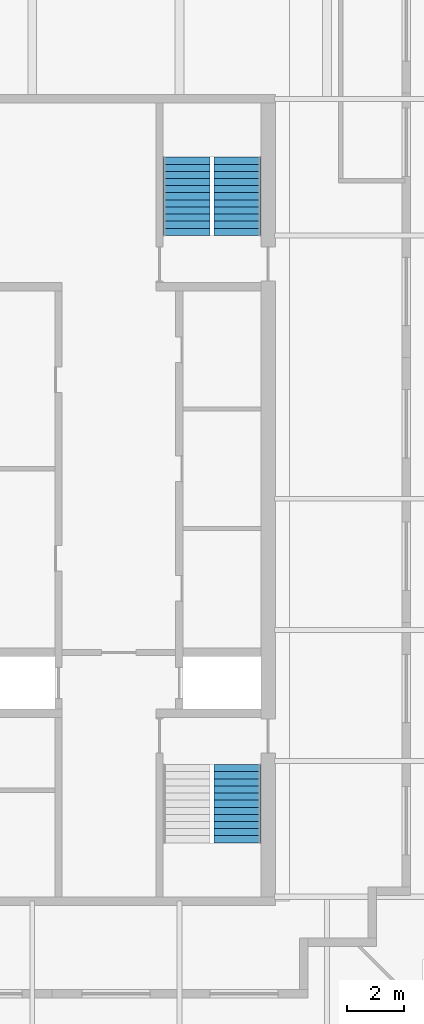
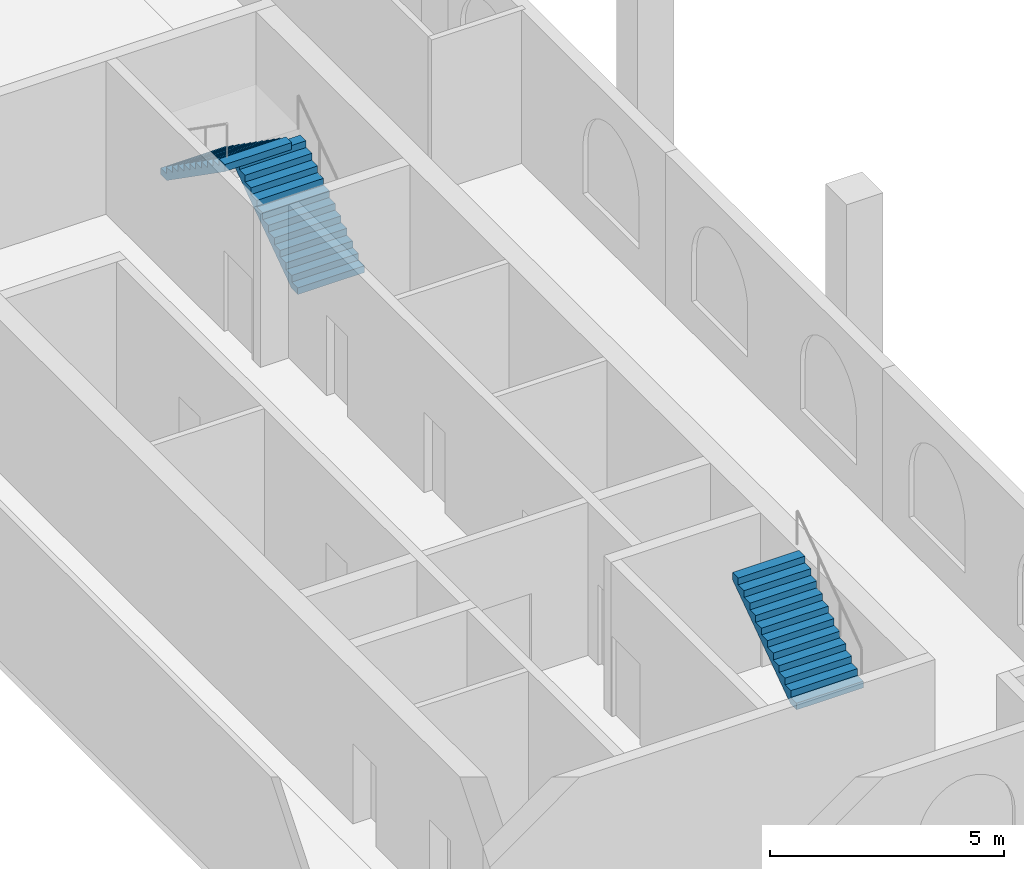
# One storey, part 7 of 8: 3 stair flights, 2 elements without a shape of their own.
"""IFC4 building model written with IfcOpenShell, lengths in metres."""

from ifc_helpers import new_model, si_unit, direction, frame, origin, place, context, subcontext, project, spatial, polyline, outline, extrude, material, type_object, element, aggregate, save


model = new_model("IFC4")

# Units and contexts
model_context = context("Model", 3, precision=1e-05, world=origin(), true_north=direction((0.0, 1.0)))
body_context = subcontext(model_context, "Body", "Model", "MODEL_VIEW")
ifc_project = project(units=[si_unit("LENGTHUNIT", "METRE"), si_unit("AREAUNIT", "SQUARE_METRE"), si_unit("VOLUMEUNIT", "CUBIC_METRE"), si_unit("PLANEANGLEUNIT", "RADIAN"), si_unit("MASSUNIT", "GRAM", prefix="KILO")], contexts=[model_context])

# Site, building, storey
site_placement = place(None, origin())
site = spatial("IfcSite", under=ifc_project, at=site_placement, CompositionType="ELEMENT")
building_placement = place(site_placement, origin())
building = spatial("IfcBuilding", under=site, at=building_placement, Name="Ogive Exchange Tower", CompositionType="ELEMENT")
storey_placement = place(building_placement, frame((0.0, 0.0, 377.39990234375)))
storey = spatial("IfcBuildingStorey", under=building, at=storey_placement, Name="C03", CompositionType="ELEMENT", Elevation=377.39990234375)

# Stair, stair flight
ifc_material = material(Name="Concrete C40/50", Category="concrete")
stair_type = type_object("IfcStairType", Name="Exit stair 1650 wide", PredefinedType="HALF_TURN_STAIR", material=ifc_material)
stair_1_placement = place(storey_placement, origin())
stair_1 = element("IfcStair", 1, at=stair_1_placement, inside=storey, type_object=stair_type, Name="C03 exit stair ST3", PredefinedType="HALF_TURN_STAIR")
stair_flight_type = type_object("IfcStairFlightType", Name="Stair flight 1650 wide", PredefinedType="STRAIGHT", material=ifc_material)
stair_flight_1_placement = place(storey_placement, frame((20.175048828125, -0.550048828125, 2.10009765625), z_axis=(0.0, 0.0, 1.0), x_axis=(0.0, 1.0, 0.0)))
stair_flight_1 = element("IfcStairFlight", 2, at=stair_flight_1_placement, type_object=stair_flight_type, Name="ST3 flight 2", NumberOfRisers=12, NumberOfTreads=11, PredefinedType="STRAIGHT", RiserHeight=0.175, TreadLength=0.25, context=body_context, shape_type="SweptSolid", body=[
    extrude(outline(polyline([(0.0, 0.0), (0.0, 0.175048828125), (0.25, 0.175048828125), (0.25, 0.35009765625), (0.5, 0.35009765625), (0.5, 0.52490234375), (0.75, 0.52490234375), (0.75, 0.699951171875), (1.0, 0.699951171875), (1.0, 0.875), (1.25, 0.875), (1.25, 1.050048828125), (1.5, 1.050048828125), (1.5, 1.22509765625), (1.75, 1.22509765625), (1.75, 1.39990234375), (2.0, 1.39990234375), (2.0, 1.574951171875), (2.25, 1.574951171875), (2.25, 1.75), (2.5, 1.75), (2.5, 1.925048828125), (2.75, 1.925048828125), (2.75, 2.10009765625), (2.75, 1.741943359375), (0.261474609375, 0.0), (0.0, 0.0)])), frame((0.0, 0.824951171875, 0.0), z_axis=(0.0, -1.0, 0.0), x_axis=(1.0, 0.0, 0.0)), (0.0, 0.0, 1.0), 1.64990234375),
])
aggregate(stair_1, [stair_flight_1])

# Stair, stair flights
stair_2_placement = place(storey_placement, origin())
stair_2 = element("IfcStair", 3, at=stair_2_placement, inside=storey, type_object=stair_type, Name="C03 exit stair ST4", PredefinedType="HALF_TURN_STAIR")
stair_flight_2_placement = place(storey_placement, frame((20.175048828125, 20.800048828125, 0.0), z_axis=(0.0, 0.0, 1.0), x_axis=(0.0, 1.0, 0.0)))
stair_flight_2 = element("IfcStairFlight", 4, at=stair_flight_2_placement, type_object=stair_flight_type, Name="ST4 flight 1", NumberOfRisers=12, NumberOfTreads=11, PredefinedType="STRAIGHT", RiserHeight=0.175, TreadLength=0.25, context=body_context, shape_type="SweptSolid", body=[
    extrude(outline(polyline([(0.0, 0.0), (0.0, 0.175048828125), (0.25, 0.175048828125), (0.25, 0.35009765625), (0.5, 0.35009765625), (0.5, 0.52490234375), (0.75, 0.52490234375), (0.75, 0.699951171875), (1.0, 0.699951171875), (1.0, 0.875), (1.25, 0.875), (1.25, 1.050048828125), (1.5, 1.050048828125), (1.5, 1.22509765625), (1.75, 1.22509765625), (1.75, 1.39990234375), (2.0, 1.39990234375), (2.0, 1.574951171875), (2.25, 1.574951171875), (2.25, 1.75), (2.5, 1.75), (2.5, 1.925048828125), (2.75, 1.925048828125), (2.75, 2.10009765625), (2.75, 1.741943359375), (0.261474609375, 0.0), (0.0, 0.0)])), frame((0.0, 0.824951171875, 0.0), z_axis=(0.0, -1.0, 0.0), x_axis=(1.0, 0.0, 0.0)), (0.0, 0.0, 1.0), 1.64990234375),
])
stair_flight_3_placement = place(storey_placement, frame((18.375, 23.550048828125, 2.10009765625), z_axis=(0.0, 0.0, 1.0), x_axis=(0.0, -1.0, 0.0)))
stair_flight_3 = element("IfcStairFlight", 5, at=stair_flight_3_placement, type_object=stair_flight_type, Name="ST4 flight 2", NumberOfRisers=12, NumberOfTreads=11, PredefinedType="STRAIGHT", RiserHeight=0.175, TreadLength=0.25, context=body_context, shape_type="SweptSolid", body=[
    extrude(outline(polyline([(0.0, 0.0), (0.0, 0.175048828125), (0.25, 0.175048828125), (0.25, 0.35009765625), (0.5, 0.35009765625), (0.5, 0.52490234375), (0.75, 0.52490234375), (0.75, 0.699951171875), (1.0, 0.699951171875), (1.0, 0.875), (1.25, 0.875), (1.25, 1.050048828125), (1.5, 1.050048828125), (1.5, 1.22509765625), (1.75, 1.22509765625), (1.75, 1.39990234375), (2.0, 1.39990234375), (2.0, 1.574951171875), (2.25, 1.574951171875), (2.25, 1.75), (2.5, 1.75), (2.5, 1.925048828125), (2.75, 1.925048828125), (2.75, 2.10009765625), (2.75, 1.741943359375), (0.261474609375, 0.0), (0.0, 0.0)])), frame((0.0, 0.824951171875, 0.0), z_axis=(0.0, -1.0, 0.0), x_axis=(1.0, 0.0, 0.0)), (0.0, 0.0, 1.0), 1.64990234375),
])
aggregate(stair_2, [stair_flight_2, stair_flight_3])

save(model, "model.ifc")
